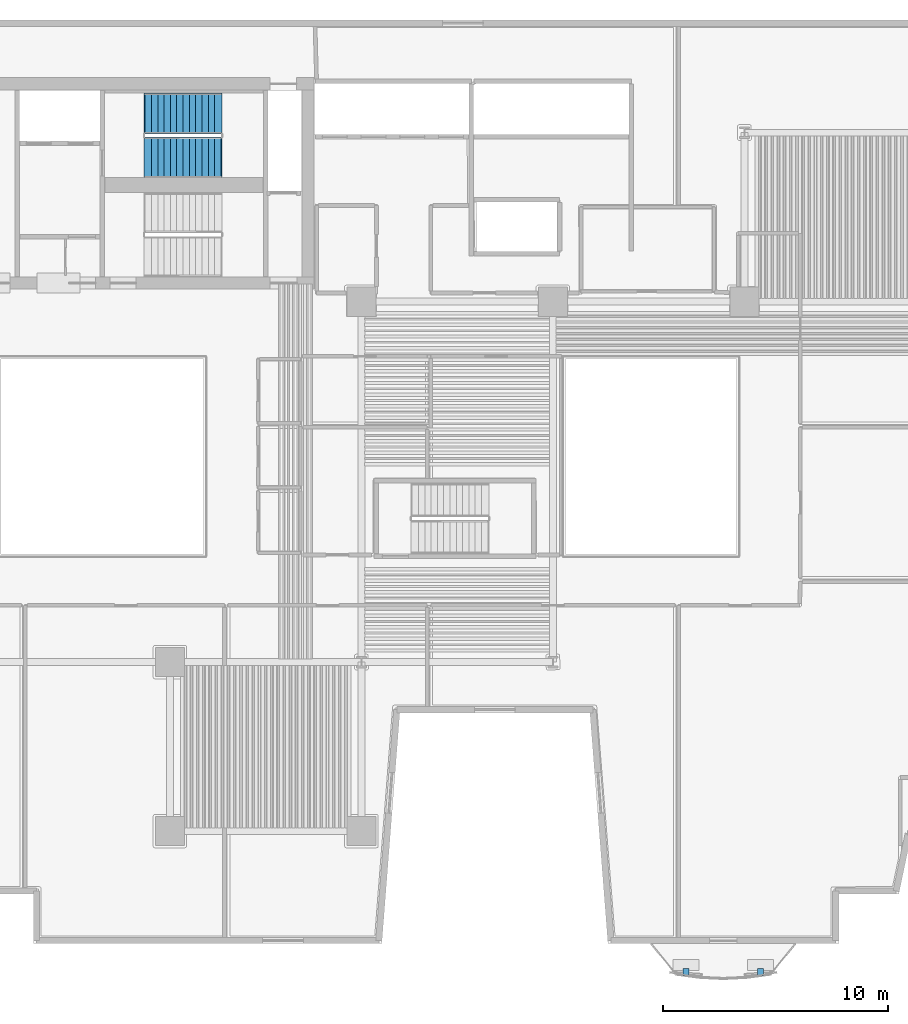
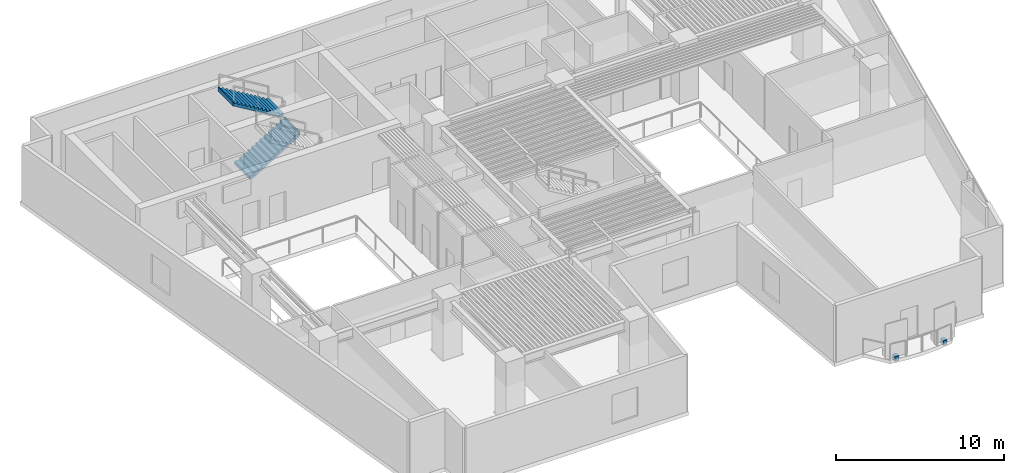
# One storey, part 7 of 12: 2 discrete accessories, 2 stair flights, 1 element without a shape of its own.
"""IFC4 building model written with IfcOpenShell, lengths in metres."""

from ifc_helpers import new_model, si_unit, direction, frame, origin, origin_2d, place, context, subcontext, project, spatial, polyline, rectangle, outline, extrude, material, type_object, element, aggregate, save


model = new_model("IFC4")

# Units and contexts
model_context = context("Model", 3, precision=1e-05, world=origin(), true_north=direction((0.0, 1.0)))
body_context = subcontext(model_context, "Body", "Model", "MODEL_VIEW")
ifc_project = project(units=[si_unit("LENGTHUNIT", "METRE"), si_unit("AREAUNIT", "SQUARE_METRE"), si_unit("VOLUMEUNIT", "CUBIC_METRE"), si_unit("PLANEANGLEUNIT", "RADIAN"), si_unit("MASSUNIT", "GRAM", prefix="KILO")], contexts=[model_context])

# Site, building, storey
site_placement = place(None, origin())
site = spatial("IfcSite", under=ifc_project, at=site_placement, CompositionType="ELEMENT")
building_placement = place(site_placement, origin())
building = spatial("IfcBuilding", under=site, at=building_placement, Name="Caeloran Harvest Quay", CompositionType="ELEMENT")
storey_placement = place(building_placement, frame((0.0, 0.0, 79.800048828125)))
storey = spatial("IfcBuildingStorey", under=building, at=storey_placement, Name="L18", CompositionType="ELEMENT", Elevation=79.800048828125)

# Stair, stair flights
ifc_material_1 = material(Name="Concrete C50/60", Category="concrete")
stair_type = type_object("IfcStairType", Name="STAIR-STC-180", PredefinedType="HALF_TURN_STAIR", material=ifc_material_1)
stair_placement = place(storey_placement, origin())
stair = element("IfcStair", 1, at=stair_placement, inside=storey, type_object=stair_type, Name="L18 Core Pressurized Exit Stair ST-C1", PredefinedType="HALF_TURN_STAIR")
stair_flight_type = type_object("IfcStairFlightType", Name="FLIGHT-STC-180", PredefinedType="STRAIGHT", material=ifc_material_1)
stair_flight_1_placement = place(storey_placement, frame((15.89990234375, 37.39990234375, 0.0), z_axis=(0.0, 0.0, 1.0), x_axis=(1.0, 0.0, 0.0)))
stair_flight_1 = element("IfcStairFlight", 2, at=stair_flight_1_placement, type_object=stair_flight_type, Name="ST-C1 flight 1", NumberOfRisers=13, NumberOfTreads=12, PredefinedType="STRAIGHT", RiserHeight=0.169230769, TreadLength=0.28, context=body_context, shape_type="SweptSolid", body=[
    extrude(outline(polyline([(-0.054931640625, -0.044921875), (-0.054931640625, -0.031494140625), (-0.054931640625, -0.018310546875), (-0.054931640625, -0.0048828125), (-0.054931640625, 0.008544921875), (-0.054931640625, 0.02197265625), (-0.054931640625, 0.035400390625), (-0.054931640625, 0.048828125), (-0.054931640625, 0.06201171875), (-0.054931640625, 0.075439453125), (-0.054931640625, 0.0888671875), (-0.054931640625, 0.102294921875), (-0.054931640625, 0.11572265625), (-0.054931640625, 0.129150390625), (-0.054931640625, 0.142333984375), (-0.054931640625, 0.15576171875), (-0.054931640625, 0.169189453125), (0.280029296875, 0.169189453125), (0.280029296875, 0.33837890625), (0.56005859375, 0.33837890625), (0.56005859375, 0.5078125), (0.840087890625, 0.5078125), (0.840087890625, 0.677001953125), (1.1201171875, 0.677001953125), (1.1201171875, 0.84619140625), (1.39990234375, 0.84619140625), (1.39990234375, 1.015380859375), (1.679931640625, 1.015380859375), (1.679931640625, 1.1845703125), (1.9599609375, 1.1845703125), (1.9599609375, 1.353759765625), (2.239990234375, 1.353759765625), (2.239990234375, 1.523193359375), (2.52001953125, 1.523193359375), (2.52001953125, 1.6923828125), (2.800048828125, 1.6923828125), (2.800048828125, 1.861572265625), (3.080078125, 1.861572265625), (3.080078125, 2.03076171875), (3.360107421875, 2.03076171875), (3.360107421875, 2.199951171875), (3.4150390625, 2.199951171875), (3.4150390625, 2.178466796875), (3.4150390625, 2.156982421875), (3.4150390625, 2.135498046875), (3.4150390625, 2.114013671875), (3.4150390625, 2.09228515625), (3.4150390625, 2.07080078125), (3.4150390625, 2.04931640625), (3.4150390625, 2.02783203125), (3.4150390625, 2.00634765625), (3.4150390625, 1.98486328125), (3.4150390625, 1.963134765625), (3.4150390625, 1.941650390625), (3.4150390625, 1.920166015625), (3.4150390625, 1.898681640625), (3.4150390625, 1.877197265625), (3.4150390625, 1.855712890625), (3.360107421875, 1.855712890625), (0.21533203125, -0.044921875), (-0.054931640625, -0.044921875)])), frame((0.0, 0.89990234375, 0.0), z_axis=(0.0, -1.0, 0.0), x_axis=(1.0, 0.0, 0.0)), (0.0, 0.0, 1.0), 1.800048828125),
])
stair_flight_2_placement = place(storey_placement, frame((19.260009765625, 39.35009765625, 2.199951171875), z_axis=(0.0, 0.0, 1.0), x_axis=(-1.0, 0.0, 0.0)))
stair_flight_2 = element("IfcStairFlight", 3, at=stair_flight_2_placement, type_object=stair_flight_type, Name="ST-C1 flight 2", NumberOfRisers=13, NumberOfTreads=12, PredefinedType="STRAIGHT", RiserHeight=0.169230769, TreadLength=0.28, context=body_context, shape_type="SweptSolid", body=[
    extrude(outline(polyline([(-0.054931640625, -0.044921875), (-0.054931640625, -0.031494140625), (-0.054931640625, -0.018310546875), (-0.054931640625, -0.0048828125), (-0.054931640625, 0.008544921875), (-0.054931640625, 0.02197265625), (-0.054931640625, 0.035400390625), (-0.054931640625, 0.048828125), (-0.054931640625, 0.06201171875), (-0.054931640625, 0.075439453125), (-0.054931640625, 0.0888671875), (-0.054931640625, 0.102294921875), (-0.054931640625, 0.11572265625), (-0.054931640625, 0.129150390625), (-0.054931640625, 0.142333984375), (-0.054931640625, 0.15576171875), (-0.054931640625, 0.169189453125), (0.280029296875, 0.169189453125), (0.280029296875, 0.33837890625), (0.56005859375, 0.33837890625), (0.56005859375, 0.5078125), (0.840087890625, 0.5078125), (0.840087890625, 0.677001953125), (1.1201171875, 0.677001953125), (1.1201171875, 0.84619140625), (1.39990234375, 0.84619140625), (1.39990234375, 1.015380859375), (1.679931640625, 1.015380859375), (1.679931640625, 1.1845703125), (1.9599609375, 1.1845703125), (1.9599609375, 1.353759765625), (2.239990234375, 1.353759765625), (2.239990234375, 1.523193359375), (2.52001953125, 1.523193359375), (2.52001953125, 1.6923828125), (2.800048828125, 1.6923828125), (2.800048828125, 1.861572265625), (3.080078125, 1.861572265625), (3.080078125, 2.03076171875), (3.360107421875, 2.03076171875), (3.360107421875, 2.199951171875), (3.4150390625, 2.199951171875), (3.4150390625, 2.178466796875), (3.4150390625, 2.156982421875), (3.4150390625, 2.135498046875), (3.4150390625, 2.114013671875), (3.4150390625, 2.09228515625), (3.4150390625, 2.07080078125), (3.4150390625, 2.04931640625), (3.4150390625, 2.02783203125), (3.4150390625, 2.00634765625), (3.4150390625, 1.98486328125), (3.4150390625, 1.963134765625), (3.4150390625, 1.941650390625), (3.4150390625, 1.920166015625), (3.4150390625, 1.898681640625), (3.4150390625, 1.877197265625), (3.4150390625, 1.855712890625), (3.360107421875, 1.855712890625), (0.21533203125, -0.044921875), (-0.054931640625, -0.044921875)])), frame((0.0, 0.89990234375, 0.0), z_axis=(0.0, -1.0, 0.0), x_axis=(1.0, 0.0, 0.0)), (0.0, 0.0, 1.0), 1.800048828125),
])
aggregate(stair, [stair_flight_1, stair_flight_2])

# Discrete accessories
ifc_material_2 = material(Name="Stainless Steel Grade 316L", Category="steel")
discrete_accessory_type = type_object("IfcDiscreteAccessoryType", Name="BRACKET-SCREEN-SS", PredefinedType="BRACKET", material=ifc_material_2)
for number, where, z_axis, x_axis, name in (
    (4, (43.218505859375, 1.239990234375, -0.22021484375), (0.0, 0.0, 1.0), (1.0, 0.0, 0.0), "L18 Balcony Screen Support Bracket 1"),
    (5, (39.8984375, 1.239990234375, -0.22021484375), (0.0, 0.0, 1.0), (1.0, 0.0, 0.0), "L18 Balcony Screen Support Bracket 2"),
):
    element("IfcDiscreteAccessory", number, at=place(storey_placement, frame(where, z_axis=z_axis, x_axis=x_axis)), inside=storey, type_object=discrete_accessory_type, Name=name, PredefinedType="BRACKET", context=body_context, shape_type="SweptSolid", body=[
        extrude(rectangle(XDim=0.260009765625, YDim=0.340087890625, at=origin_2d()), origin(), (0.0, 0.0, 1.0), 0.360107421875),
    ])

save(model, "model.ifc")
